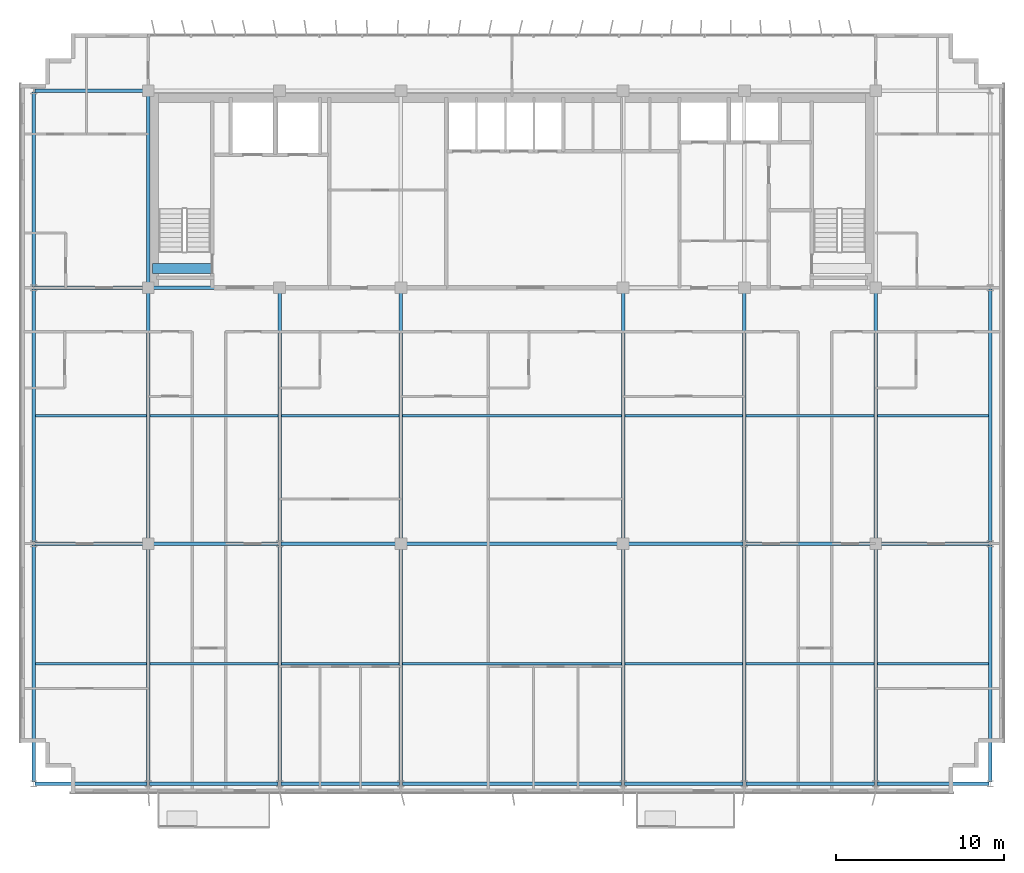
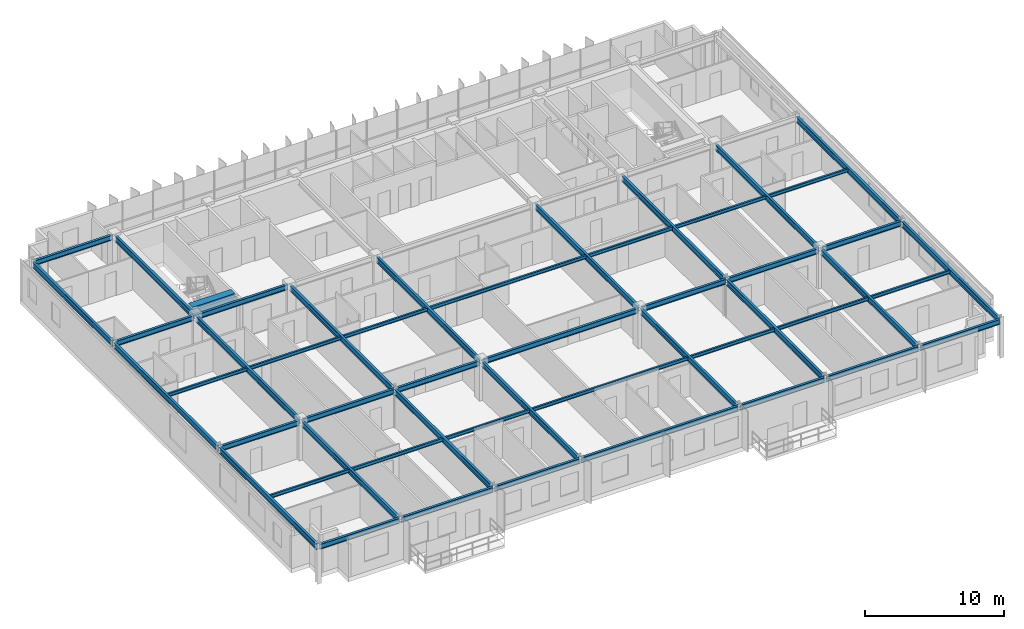
# One storey, part 5 of 23: 50 beams.
"""IFC4 building model written with IfcOpenShell, lengths in metres."""

from ifc_helpers import new_model, si_unit, direction, frame, origin, origin_2d, place, context, subcontext, project, spatial, rectangle, i_section, extrude, source, transform, mapped, material, material_profile, profile_set, type_object, element, save


model = new_model("IFC4")

# Units and contexts
model_context = context("Model", 3, precision=1e-05, world=origin(), true_north=direction((0.0, 1.0)))
body_context = subcontext(model_context, "Body", "Model", "MODEL_VIEW")
ifc_project = project(units=[si_unit("LENGTHUNIT", "METRE"), si_unit("AREAUNIT", "SQUARE_METRE"), si_unit("VOLUMEUNIT", "CUBIC_METRE"), si_unit("PLANEANGLEUNIT", "RADIAN"), si_unit("MASSUNIT", "GRAM", prefix="KILO")], contexts=[model_context])

# Site, building, storey
site_placement = place(None, origin())
site = spatial("IfcSite", under=ifc_project, at=site_placement, CompositionType="ELEMENT")
building_placement = place(site_placement, origin())
building = spatial("IfcBuilding", under=site, at=building_placement, Name="Trelvane Seafront Commons", CompositionType="ELEMENT")
storey_placement = place(building_placement, frame((0.0, 0.0, 204.89990234375)))
storey = spatial("IfcBuildingStorey", under=building, at=storey_placement, Name="L53", CompositionType="ELEMENT", Elevation=204.89990234375)

# Beams
ifc_material_1 = material(Name="Concrete C60/75", Category="concrete")
ifc_material_profile_1 = material_profile(ifc_material_1, rectangle(XDim=0.60009765625, YDim=0.89990234375, at=origin_2d()), Name="RC-600x900")
ifc_profile_set_1 = profile_set([ifc_material_profile_1], Name="Concrete C60/75")
beam_type_1 = type_object("IfcBeamType", Name="STR-LNT-RC600x900", PredefinedType="LINTEL", material=ifc_profile_set_1)
shared_shape_1 = source(origin(), body_context, "Body", "SweptSolid", [
    extrude(rectangle(XDim=0.60009765625, YDim=0.89990234375, at=origin_2d()), origin(), (0.0, 0.0, 1.0), 3.5498046875),
])
beam_1_placement = place(storey_placement, frame((15.85009765625, 34.550048828125, 2.91015625), z_axis=(1.0, 0.0, 0.0), x_axis=(0.0, 1.0, 0.0)))
element("IfcBeam", 1, at=beam_1_placement, inside=storey, type_object=beam_type_1, Name="L53 Core Coupling Lintel Beam CB-67", PredefinedType="LINTEL", context=body_context, shape_type="MappedRepresentation", body=[
    mapped(shared_shape_1, transform((0.0, 0.0, 0.0), x_axis=(1.0, 0.0, 0.0), y_axis=(0.0, 1.0, 0.0), z_axis=(0.0, 0.0, 1.0), scale=1.0)),
])
ifc_material_2 = material(Name="Steel SM355 (S355)", Category="steel")
ifc_material_profile_2 = material_profile(ifc_material_2, i_section(OverallWidth=0.199951171875, OverallDepth=0.5, WebThickness=0.010009765625, FlangeThickness=0.01611328125, at=origin_2d()), Name="H-500x200x10x16")
ifc_profile_set_2 = profile_set([ifc_material_profile_2], Name="Steel SM355 (S355)")
beam_type_2 = type_object("IfcBeamType", Name="STR-BM-H500", PredefinedType="BEAM", material=ifc_profile_set_2)
shared_shape_2 = source(origin(), body_context, "Body", "SweptSolid", [
    extrude(i_section(OverallWidth=0.199951171875, OverallDepth=0.5, WebThickness=0.010009765625, FlangeThickness=0.01611328125, at=origin_2d()), origin(), (0.0, 0.0, 1.0), 14.89990234375),
])
for number, where, z_axis, x_axis, name in (
    (2, (15.60009765625, 18.35009765625, 3.110107421875), (0.0, 1.0, 0.0), (-1.0, 0.0, 0.0), "L53 Primary Girder G-33"),
    (3, (30.60009765625, 18.35009765625, 3.110107421875), (0.0, 1.0, 0.0), (-1.0, 0.0, 0.0), "L53 Primary Girder G-39"),
    (4, (43.800048828125, 18.35009765625, 3.110107421875), (0.0, 1.0, 0.0), (-1.0, 0.0, 0.0), "L53 Primary Girder G-42"),
    (5, (58.800048828125, 18.35009765625, 3.110107421875), (0.0, 1.0, 0.0), (-1.0, 0.0, 0.0), "L53 Primary Girder G-48"),
):
    element("IfcBeam", number, at=place(storey_placement, frame(where, z_axis=z_axis, x_axis=x_axis)), inside=storey, type_object=beam_type_2, Name=name, PredefinedType="BEAM", context=body_context, shape_type="MappedRepresentation", body=[
        mapped(shared_shape_2, transform((0.0, 0.0, 0.0), x_axis=(1.0, 0.0, 0.0), y_axis=(0.0, 1.0, 0.0), z_axis=(0.0, 0.0, 1.0), scale=1.0)),
    ])
shared_shape_3 = source(origin(), body_context, "Body", "SweptSolid", [
    extrude(i_section(OverallWidth=0.199951171875, OverallDepth=0.5, WebThickness=0.010009765625, FlangeThickness=0.01611328125, at=origin_2d()), origin(), (0.0, 0.0, 1.0), 11.39990234375),
])
beam_2_placement = place(storey_placement, frame((15.60009765625, 33.550048828125, 3.110107421875), z_axis=(0.0, 1.0, 0.0), x_axis=(-1.0, 0.0, 0.0)))
element("IfcBeam", 6, at=beam_2_placement, inside=storey, type_object=beam_type_2, Name="L53 Primary Girder G-34", PredefinedType="BEAM", context=body_context, shape_type="MappedRepresentation", body=[
    mapped(shared_shape_3, transform((0.0, 0.0, 0.0), x_axis=(1.0, 0.0, 0.0), y_axis=(0.0, 1.0, 0.0), z_axis=(0.0, 0.0, 1.0), scale=1.0)),
])
ifc_material_profile_3 = material_profile(ifc_material_2, i_section(OverallWidth=0.199951171875, OverallDepth=0.449951171875, WebThickness=0.009033203125, FlangeThickness=0.013916015625, at=origin_2d()), Name="H-450x200x9x14")
ifc_profile_set_3 = profile_set([ifc_material_profile_3], Name="Steel SM355 (S355)")
beam_type_3 = type_object("IfcBeamType", Name="STR-SPD-H450", PredefinedType="SPANDREL", material=ifc_profile_set_3)
shared_shape_4 = source(origin(), body_context, "Body", "SweptSolid", [
    extrude(i_section(OverallWidth=0.199951171875, OverallDepth=0.449951171875, WebThickness=0.009033203125, FlangeThickness=0.013916015625, at=origin_2d()), origin(), (0.0, 0.0, 1.0), 6.625),
])
for number, where, z_axis, x_axis, name in (
    (7, (8.887451171875, 3.949951171875, 3.135009765625), (1.0, 0.0, 0.0), (0.0, 1.0, 0.0), "L53 Primary Girder G-01"),
    (8, (58.887451171875, 3.949951171875, 3.135009765625), (1.0, 0.0, 0.0), (0.0, 1.0, 0.0), "L53 Primary Girder G-07"),
):
    element("IfcBeam", number, at=place(storey_placement, frame(where, z_axis=z_axis, x_axis=x_axis)), inside=storey, type_object=beam_type_3, Name=name, PredefinedType="SPANDREL", context=body_context, shape_type="MappedRepresentation", body=[
        mapped(shared_shape_4, transform((0.0, 0.0, 0.0), x_axis=(1.0, 0.0, 0.0), y_axis=(0.0, 1.0, 0.0), z_axis=(0.0, 0.0, 1.0), scale=1.0)),
    ])
shared_shape_5 = source(origin(), body_context, "Body", "SweptSolid", [
    extrude(i_section(OverallWidth=0.199951171875, OverallDepth=0.449951171875, WebThickness=0.009033203125, FlangeThickness=0.013916015625, at=origin_2d()), origin(), (0.0, 0.0, 1.0), 7.625),
])
for number, where, z_axis, x_axis, name in (
    (9, (15.6875, 3.949951171875, 3.135009765625), (1.0, 0.0, 0.0), (0.0, 1.0, 0.0), "L53 Primary Girder G-02"),
    (10, (51.08740234375, 3.949951171875, 3.135009765625), (1.0, 0.0, 0.0), (0.0, 1.0, 0.0), "L53 Primary Girder G-06"),
):
    element("IfcBeam", number, at=place(storey_placement, frame(where, z_axis=z_axis, x_axis=x_axis)), inside=storey, type_object=beam_type_3, Name=name, PredefinedType="SPANDREL", context=body_context, shape_type="MappedRepresentation", body=[
        mapped(shared_shape_5, transform((0.0, 0.0, 0.0), x_axis=(1.0, 0.0, 0.0), y_axis=(0.0, 1.0, 0.0), z_axis=(0.0, 0.0, 1.0), scale=1.0)),
    ])
shared_shape_6 = source(origin(), body_context, "Body", "SweptSolid", [
    extrude(i_section(OverallWidth=0.199951171875, OverallDepth=0.449951171875, WebThickness=0.009033203125, FlangeThickness=0.013916015625, at=origin_2d()), origin(), (0.0, 0.0, 1.0), 7.02490234375),
])
beam_3_placement = place(storey_placement, frame((23.487548828125, 3.949951171875, 3.135009765625), z_axis=(1.0, 0.0, 0.0), x_axis=(0.0, 1.0, 0.0)))
element("IfcBeam", 11, at=beam_3_placement, inside=storey, type_object=beam_type_3, Name="L53 Primary Girder G-03", PredefinedType="SPANDREL", context=body_context, shape_type="MappedRepresentation", body=[
    mapped(shared_shape_6, transform((0.0, 0.0, 0.0), x_axis=(1.0, 0.0, 0.0), y_axis=(0.0, 1.0, 0.0), z_axis=(0.0, 0.0, 1.0), scale=1.0)),
])
shared_shape_7 = source(origin(), body_context, "Body", "SweptSolid", [
    extrude(i_section(OverallWidth=0.199951171875, OverallDepth=0.449951171875, WebThickness=0.009033203125, FlangeThickness=0.013916015625, at=origin_2d()), origin(), (0.0, 0.0, 1.0), 7.025146484375),
])
beam_4_placement = place(storey_placement, frame((43.887451171875, 3.949951171875, 3.135009765625), z_axis=(1.0, 0.0, 0.0), x_axis=(0.0, 1.0, 0.0)))
element("IfcBeam", 12, at=beam_4_placement, inside=storey, type_object=beam_type_3, Name="L53 Primary Girder G-05", PredefinedType="SPANDREL", context=body_context, shape_type="MappedRepresentation", body=[
    mapped(shared_shape_7, transform((0.0, 0.0, 0.0), x_axis=(1.0, 0.0, 0.0), y_axis=(0.0, 1.0, 0.0), z_axis=(0.0, 0.0, 1.0), scale=1.0)),
])
shared_shape_8 = source(origin(), body_context, "Body", "SweptSolid", [
    extrude(i_section(OverallWidth=0.199951171875, OverallDepth=0.449951171875, WebThickness=0.009033203125, FlangeThickness=0.013916015625, at=origin_2d()), origin(), (0.0, 0.0, 1.0), 6.5625),
])
for number, where, z_axis, x_axis, name in (
    (13, (8.887451171875, 18.199951171875, 3.135009765625), (1.0, 0.0, 0.0), (0.0, 1.0, 0.0), "L53 Primary Girder G-08"),
    (14, (58.949951171875, 18.199951171875, 3.135009765625), (1.0, 0.0, 0.0), (0.0, 1.0, 0.0), "L53 Primary Girder G-14"),
    (15, (8.887451171875, 33.39990234375, 3.135009765625), (1.0, 0.0, 0.0), (0.0, 1.0, 0.0), "L53 Primary Girder G-15"),
    (16, (8.887451171875, 45.10009765625, 3.135009765625), (1.0, 0.0, 0.0), (0.0, 1.0, 0.0), "L53 Primary Girder G-22"),
):
    element("IfcBeam", number, at=place(storey_placement, frame(where, z_axis=z_axis, x_axis=x_axis)), inside=storey, type_object=beam_type_3, Name=name, PredefinedType="SPANDREL", context=body_context, shape_type="MappedRepresentation", body=[
        mapped(shared_shape_8, transform((0.0, 0.0, 0.0), x_axis=(1.0, 0.0, 0.0), y_axis=(0.0, 1.0, 0.0), z_axis=(0.0, 0.0, 1.0), scale=1.0)),
    ])
shared_shape_9 = source(origin(), body_context, "Body", "SweptSolid", [
    extrude(i_section(OverallWidth=0.199951171875, OverallDepth=0.449951171875, WebThickness=0.009033203125, FlangeThickness=0.013916015625, at=origin_2d()), origin(), (0.0, 0.0, 1.0), 7.5625),
])
for number, where, z_axis, x_axis, name in (
    (17, (15.75, 18.199951171875, 3.135009765625), (1.0, 0.0, 0.0), (0.0, 1.0, 0.0), "L53 Primary Girder G-09"),
    (18, (51.08740234375, 18.199951171875, 3.135009765625), (1.0, 0.0, 0.0), (0.0, 1.0, 0.0), "L53 Primary Girder G-13"),
):
    element("IfcBeam", number, at=place(storey_placement, frame(where, z_axis=z_axis, x_axis=x_axis)), inside=storey, type_object=beam_type_3, Name=name, PredefinedType="SPANDREL", context=body_context, shape_type="MappedRepresentation", body=[
        mapped(shared_shape_9, transform((0.0, 0.0, 0.0), x_axis=(1.0, 0.0, 0.0), y_axis=(0.0, 1.0, 0.0), z_axis=(0.0, 0.0, 1.0), scale=1.0)),
    ])
shared_shape_10 = source(origin(), body_context, "Body", "SweptSolid", [
    extrude(i_section(OverallWidth=0.199951171875, OverallDepth=0.449951171875, WebThickness=0.009033203125, FlangeThickness=0.013916015625, at=origin_2d()), origin(), (0.0, 0.0, 1.0), 6.96240234375),
])
beam_5_placement = place(storey_placement, frame((23.487548828125, 18.199951171875, 3.135009765625), z_axis=(1.0, 0.0, 0.0), x_axis=(0.0, 1.0, 0.0)))
element("IfcBeam", 19, at=beam_5_placement, inside=storey, type_object=beam_type_3, Name="L53 Primary Girder G-10", PredefinedType="SPANDREL", context=body_context, shape_type="MappedRepresentation", body=[
    mapped(shared_shape_10, transform((0.0, 0.0, 0.0), x_axis=(1.0, 0.0, 0.0), y_axis=(0.0, 1.0, 0.0), z_axis=(0.0, 0.0, 1.0), scale=1.0)),
])
shared_shape_11 = source(origin(), body_context, "Body", "SweptSolid", [
    extrude(i_section(OverallWidth=0.199951171875, OverallDepth=0.449951171875, WebThickness=0.009033203125, FlangeThickness=0.013916015625, at=origin_2d()), origin(), (0.0, 0.0, 1.0), 6.962646484375),
])
beam_6_placement = place(storey_placement, frame((43.949951171875, 18.199951171875, 3.135009765625), z_axis=(1.0, 0.0, 0.0), x_axis=(0.0, 1.0, 0.0)))
element("IfcBeam", 20, at=beam_6_placement, inside=storey, type_object=beam_type_3, Name="L53 Primary Girder G-12", PredefinedType="SPANDREL", context=body_context, shape_type="MappedRepresentation", body=[
    mapped(shared_shape_11, transform((0.0, 0.0, 0.0), x_axis=(1.0, 0.0, 0.0), y_axis=(0.0, 1.0, 0.0), z_axis=(0.0, 0.0, 1.0), scale=1.0)),
])
shared_shape_12 = source(origin(), body_context, "Body", "SweptSolid", [
    extrude(i_section(OverallWidth=0.199951171875, OverallDepth=0.449951171875, WebThickness=0.009033203125, FlangeThickness=0.013916015625, at=origin_2d()), origin(), (0.0, 0.0, 1.0), 7.5),
])
beam_7_placement = place(storey_placement, frame((15.75, 33.39990234375, 3.135009765625), z_axis=(1.0, 0.0, 0.0), x_axis=(0.0, 1.0, 0.0)))
element("IfcBeam", 21, at=beam_7_placement, inside=storey, type_object=beam_type_3, Name="L53 Primary Girder G-16", PredefinedType="SPANDREL", context=body_context, shape_type="MappedRepresentation", body=[
    mapped(shared_shape_12, transform((0.0, 0.0, 0.0), x_axis=(1.0, 0.0, 0.0), y_axis=(0.0, 1.0, 0.0), z_axis=(0.0, 0.0, 1.0), scale=1.0)),
])
shared_shape_13 = source(origin(), body_context, "Body", "SweptSolid", [
    extrude(i_section(OverallWidth=0.199951171875, OverallDepth=0.449951171875, WebThickness=0.009033203125, FlangeThickness=0.013916015625, at=origin_2d()), origin(), (0.0, 0.0, 1.0), 12.89990234375),
])
beam_8_placement = place(storey_placement, frame((30.75, 18.199951171875, 3.135009765625), z_axis=(1.0, 0.0, 0.0), x_axis=(0.0, 1.0, 0.0)))
element("IfcBeam", 22, at=beam_8_placement, inside=storey, type_object=beam_type_3, Name="L53 Primary Girder G-11", PredefinedType="SPANDREL", context=body_context, shape_type="MappedRepresentation", body=[
    mapped(shared_shape_13, transform((0.0, 0.0, 0.0), x_axis=(1.0, 0.0, 0.0), y_axis=(0.0, 1.0, 0.0), z_axis=(0.0, 0.0, 1.0), scale=1.0)),
])
shared_shape_14 = source(origin(), body_context, "Body", "SweptSolid", [
    extrude(i_section(OverallWidth=0.199951171875, OverallDepth=0.5, WebThickness=0.010009765625, FlangeThickness=0.01611328125, at=origin_2d()), origin(), (0.0, 0.0, 1.0), 14.074951171875),
])
for number, where, z_axis, x_axis, name in (
    (23, (8.800048828125, 4.03759765625, 3.110107421875), (0.0, 1.0, 0.0), (-1.0, 0.0, 0.0), "L53 Primary Girder G-29"),
    (24, (23.39990234375, 4.03759765625, 3.110107421875), (0.0, 1.0, 0.0), (-1.0, 0.0, 0.0), "L53 Primary Girder G-35"),
    (25, (51.0, 4.03759765625, 3.110107421875), (0.0, 1.0, 0.0), (-1.0, 0.0, 0.0), "L53 Primary Girder G-44"),
    (26, (65.60009765625, 4.03759765625, 3.110107421875), (0.0, 1.0, 0.0), (-1.0, 0.0, 0.0), "L53 Primary Girder G-50"),
):
    element("IfcBeam", number, at=place(storey_placement, frame(where, z_axis=z_axis, x_axis=x_axis)), inside=storey, type_object=beam_type_2, Name=name, PredefinedType="BEAM", context=body_context, shape_type="MappedRepresentation", body=[
        mapped(shared_shape_14, transform((0.0, 0.0, 0.0), x_axis=(1.0, 0.0, 0.0), y_axis=(0.0, 1.0, 0.0), z_axis=(0.0, 0.0, 1.0), scale=1.0)),
    ])
shared_shape_15 = source(origin(), body_context, "Body", "SweptSolid", [
    extrude(i_section(OverallWidth=0.199951171875, OverallDepth=0.5, WebThickness=0.010009765625, FlangeThickness=0.01611328125, at=origin_2d()), origin(), (0.0, 0.0, 1.0), 15.02490234375),
])
for number, where, z_axis, x_axis, name in (
    (27, (8.800048828125, 18.28759765625, 3.110107421875), (0.0, 1.0, 0.0), (-1.0, 0.0, 0.0), "L53 Primary Girder G-30"),
    (28, (65.60009765625, 18.28759765625, 3.110107421875), (0.0, 1.0, 0.0), (-1.0, 0.0, 0.0), "L53 Primary Girder G-51"),
):
    element("IfcBeam", number, at=place(storey_placement, frame(where, z_axis=z_axis, x_axis=x_axis)), inside=storey, type_object=beam_type_2, Name=name, PredefinedType="BEAM", context=body_context, shape_type="MappedRepresentation", body=[
        mapped(shared_shape_15, transform((0.0, 0.0, 0.0), x_axis=(1.0, 0.0, 0.0), y_axis=(0.0, 1.0, 0.0), z_axis=(0.0, 0.0, 1.0), scale=1.0)),
    ])
shared_shape_16 = source(origin(), body_context, "Body", "SweptSolid", [
    extrude(i_section(OverallWidth=0.199951171875, OverallDepth=0.5, WebThickness=0.010009765625, FlangeThickness=0.01611328125, at=origin_2d()), origin(), (0.0, 0.0, 1.0), 11.52490234375),
])
beam_9_placement = place(storey_placement, frame((8.800048828125, 33.487548828125, 3.110107421875), z_axis=(0.0, 1.0, 0.0), x_axis=(-1.0, 0.0, 0.0)))
element("IfcBeam", 29, at=beam_9_placement, inside=storey, type_object=beam_type_2, Name="L53 Primary Girder G-31", PredefinedType="BEAM", context=body_context, shape_type="MappedRepresentation", body=[
    mapped(shared_shape_16, transform((0.0, 0.0, 0.0), x_axis=(1.0, 0.0, 0.0), y_axis=(0.0, 1.0, 0.0), z_axis=(0.0, 0.0, 1.0), scale=1.0)),
])
shared_shape_17 = source(origin(), body_context, "Body", "SweptSolid", [
    extrude(i_section(OverallWidth=0.199951171875, OverallDepth=0.5, WebThickness=0.010009765625, FlangeThickness=0.01611328125, at=origin_2d()), origin(), (0.0, 0.0, 1.0), 14.012451171875),
])
for number, where, z_axis, x_axis, name in (
    (30, (15.60009765625, 4.03759765625, 3.110107421875), (0.0, 1.0, 0.0), (-1.0, 0.0, 0.0), "L53 Primary Girder G-32"),
    (31, (30.60009765625, 4.03759765625, 3.110107421875), (0.0, 1.0, 0.0), (-1.0, 0.0, 0.0), "L53 Primary Girder G-38"),
    (32, (43.800048828125, 4.03759765625, 3.110107421875), (0.0, 1.0, 0.0), (-1.0, 0.0, 0.0), "L53 Primary Girder G-41"),
    (33, (58.800048828125, 4.03759765625, 3.110107421875), (0.0, 1.0, 0.0), (-1.0, 0.0, 0.0), "L53 Primary Girder G-47"),
):
    element("IfcBeam", number, at=place(storey_placement, frame(where, z_axis=z_axis, x_axis=x_axis)), inside=storey, type_object=beam_type_2, Name=name, PredefinedType="BEAM", context=body_context, shape_type="MappedRepresentation", body=[
        mapped(shared_shape_17, transform((0.0, 0.0, 0.0), x_axis=(1.0, 0.0, 0.0), y_axis=(0.0, 1.0, 0.0), z_axis=(0.0, 0.0, 1.0), scale=1.0)),
    ])
shared_shape_18 = source(origin(), body_context, "Body", "SweptSolid", [
    extrude(i_section(OverallWidth=0.199951171875, OverallDepth=0.5, WebThickness=0.010009765625, FlangeThickness=0.01611328125, at=origin_2d()), origin(), (0.0, 0.0, 1.0), 14.96240234375),
])
for number, where, z_axis, x_axis, name in (
    (34, (23.39990234375, 18.28759765625, 3.110107421875), (0.0, 1.0, 0.0), (-1.0, 0.0, 0.0), "L53 Primary Girder G-36"),
    (35, (51.0, 18.28759765625, 3.110107421875), (0.0, 1.0, 0.0), (-1.0, 0.0, 0.0), "L53 Primary Girder G-45"),
):
    element("IfcBeam", number, at=place(storey_placement, frame(where, z_axis=z_axis, x_axis=x_axis)), inside=storey, type_object=beam_type_2, Name=name, PredefinedType="BEAM", context=body_context, shape_type="MappedRepresentation", body=[
        mapped(shared_shape_18, transform((0.0, 0.0, 0.0), x_axis=(1.0, 0.0, 0.0), y_axis=(0.0, 1.0, 0.0), z_axis=(0.0, 0.0, 1.0), scale=1.0)),
    ])
ifc_material_profile_4 = material_profile(ifc_material_2, i_section(OverallWidth=0.14990234375, OverallDepth=0.300048828125, WebThickness=0.006591796875, FlangeThickness=0.009033203125, at=origin_2d()), Name="H-300x150x6.5x9")
ifc_profile_set_4 = profile_set([ifc_material_profile_4], Name="Steel SM355 (S355)")
beam_type_4 = type_object("IfcBeamType", Name="STR-JST-H300", PredefinedType="JOIST", material=ifc_profile_set_4)
shared_shape_19 = source(origin(), body_context, "Body", "SweptSolid", [
    extrude(i_section(OverallWidth=0.14990234375, OverallDepth=0.300048828125, WebThickness=0.006591796875, FlangeThickness=0.009033203125, at=origin_2d()), origin(), (0.0, 0.0, 1.0), 6.60009765625),
])
for number, where, z_axis, x_axis, name in (
    (36, (8.89990234375, 11.074951171875, 3.210205078125), (1.0, 0.0, 0.0), (0.0, 1.0, 0.0), "L53 Secondary Floor Joist B-53"),
    (37, (58.89990234375, 11.074951171875, 3.210205078125), (1.0, 0.0, 0.0), (0.0, 1.0, 0.0), "L53 Secondary Floor Joist B-59"),
    (38, (8.89990234375, 25.800048828125, 3.210205078125), (1.0, 0.0, 0.0), (0.0, 1.0, 0.0), "L53 Secondary Floor Joist B-60"),
    (39, (58.89990234375, 25.800048828125, 3.210205078125), (1.0, 0.0, 0.0), (0.0, 1.0, 0.0), "L53 Secondary Floor Joist B-66"),
):
    element("IfcBeam", number, at=place(storey_placement, frame(where, z_axis=z_axis, x_axis=x_axis)), inside=storey, type_object=beam_type_4, Name=name, PredefinedType="JOIST", context=body_context, shape_type="MappedRepresentation", body=[
        mapped(shared_shape_19, transform((0.0, 0.0, 0.0), x_axis=(1.0, 0.0, 0.0), y_axis=(0.0, 1.0, 0.0), z_axis=(0.0, 0.0, 1.0), scale=1.0)),
    ])
shared_shape_20 = source(origin(), body_context, "Body", "SweptSolid", [
    extrude(i_section(OverallWidth=0.14990234375, OverallDepth=0.300048828125, WebThickness=0.006591796875, FlangeThickness=0.009033203125, at=origin_2d()), origin(), (0.0, 0.0, 1.0), 7.60009765625),
])
for number, where, z_axis, x_axis, name in (
    (40, (15.699951171875, 11.074951171875, 3.210205078125), (1.0, 0.0, 0.0), (0.0, 1.0, 0.0), "L53 Secondary Floor Joist B-54"),
    (41, (15.699951171875, 25.800048828125, 3.210205078125), (1.0, 0.0, 0.0), (0.0, 1.0, 0.0), "L53 Secondary Floor Joist B-61"),
):
    element("IfcBeam", number, at=place(storey_placement, frame(where, z_axis=z_axis, x_axis=x_axis)), inside=storey, type_object=beam_type_4, Name=name, PredefinedType="JOIST", context=body_context, shape_type="MappedRepresentation", body=[
        mapped(shared_shape_20, transform((0.0, 0.0, 0.0), x_axis=(1.0, 0.0, 0.0), y_axis=(0.0, 1.0, 0.0), z_axis=(0.0, 0.0, 1.0), scale=1.0)),
    ])
shared_shape_21 = source(origin(), body_context, "Body", "SweptSolid", [
    extrude(i_section(OverallWidth=0.14990234375, OverallDepth=0.300048828125, WebThickness=0.006591796875, FlangeThickness=0.009033203125, at=origin_2d()), origin(), (0.0, 0.0, 1.0), 7.0),
])
for number, where, z_axis, x_axis, name in (
    (42, (23.5, 11.074951171875, 3.210205078125), (1.0, 0.0, 0.0), (0.0, 1.0, 0.0), "L53 Secondary Floor Joist B-55"),
    (43, (43.89990234375, 11.074951171875, 3.210205078125), (1.0, 0.0, 0.0), (0.0, 1.0, 0.0), "L53 Secondary Floor Joist B-57"),
    (44, (23.5, 25.800048828125, 3.210205078125), (1.0, 0.0, 0.0), (0.0, 1.0, 0.0), "L53 Secondary Floor Joist B-62"),
    (45, (43.89990234375, 25.800048828125, 3.210205078125), (1.0, 0.0, 0.0), (0.0, 1.0, 0.0), "L53 Secondary Floor Joist B-64"),
):
    element("IfcBeam", number, at=place(storey_placement, frame(where, z_axis=z_axis, x_axis=x_axis)), inside=storey, type_object=beam_type_4, Name=name, PredefinedType="JOIST", context=body_context, shape_type="MappedRepresentation", body=[
        mapped(shared_shape_21, transform((0.0, 0.0, 0.0), x_axis=(1.0, 0.0, 0.0), y_axis=(0.0, 1.0, 0.0), z_axis=(0.0, 0.0, 1.0), scale=1.0)),
    ])
shared_shape_22 = source(origin(), body_context, "Body", "SweptSolid", [
    extrude(i_section(OverallWidth=0.14990234375, OverallDepth=0.300048828125, WebThickness=0.006591796875, FlangeThickness=0.009033203125, at=origin_2d()), origin(), (0.0, 0.0, 1.0), 7.599853515625),
])
for number, where, z_axis, x_axis, name in (
    (46, (51.10009765625, 11.074951171875, 3.210205078125), (1.0, 0.0, 0.0), (0.0, 1.0, 0.0), "L53 Secondary Floor Joist B-58"),
    (47, (51.10009765625, 25.800048828125, 3.210205078125), (1.0, 0.0, 0.0), (0.0, 1.0, 0.0), "L53 Secondary Floor Joist B-65"),
):
    element("IfcBeam", number, at=place(storey_placement, frame(where, z_axis=z_axis, x_axis=x_axis)), inside=storey, type_object=beam_type_4, Name=name, PredefinedType="JOIST", context=body_context, shape_type="MappedRepresentation", body=[
        mapped(shared_shape_22, transform((0.0, 0.0, 0.0), x_axis=(1.0, 0.0, 0.0), y_axis=(0.0, 1.0, 0.0), z_axis=(0.0, 0.0, 1.0), scale=1.0)),
    ])
shared_shape_23 = source(origin(), body_context, "Body", "SweptSolid", [
    extrude(i_section(OverallWidth=0.14990234375, OverallDepth=0.300048828125, WebThickness=0.006591796875, FlangeThickness=0.009033203125, at=origin_2d()), origin(), (0.0, 0.0, 1.0), 13.0),
])
for number, where, z_axis, x_axis, name in (
    (48, (30.699951171875, 11.074951171875, 3.210205078125), (1.0, 0.0, 0.0), (0.0, 1.0, 0.0), "L53 Secondary Floor Joist B-56"),
    (49, (30.699951171875, 25.800048828125, 3.210205078125), (1.0, 0.0, 0.0), (0.0, 1.0, 0.0), "L53 Secondary Floor Joist B-63"),
):
    element("IfcBeam", number, at=place(storey_placement, frame(where, z_axis=z_axis, x_axis=x_axis)), inside=storey, type_object=beam_type_4, Name=name, PredefinedType="JOIST", context=body_context, shape_type="MappedRepresentation", body=[
        mapped(shared_shape_23, transform((0.0, 0.0, 0.0), x_axis=(1.0, 0.0, 0.0), y_axis=(0.0, 1.0, 0.0), z_axis=(0.0, 0.0, 1.0), scale=1.0)),
    ])
shared_shape_24 = source(origin(), body_context, "Body", "SweptSolid", [
    extrude(i_section(OverallWidth=0.199951171875, OverallDepth=0.449951171875, WebThickness=0.009033203125, FlangeThickness=0.013916015625, at=origin_2d()), origin(), (0.0, 0.0, 1.0), 13.02490234375),
])
beam_10_placement = place(storey_placement, frame((30.6875, 3.949951171875, 3.135009765625), z_axis=(1.0, 0.0, 0.0), x_axis=(0.0, 1.0, 0.0)))
element("IfcBeam", 50, at=beam_10_placement, inside=storey, type_object=beam_type_3, Name="L53 Primary Girder G-04", PredefinedType="SPANDREL", context=body_context, shape_type="MappedRepresentation", body=[
    mapped(shared_shape_24, transform((0.0, 0.0, 0.0), x_axis=(1.0, 0.0, 0.0), y_axis=(0.0, 1.0, 0.0), z_axis=(0.0, 0.0, 1.0), scale=1.0)),
])

save(model, "model.ifc")
